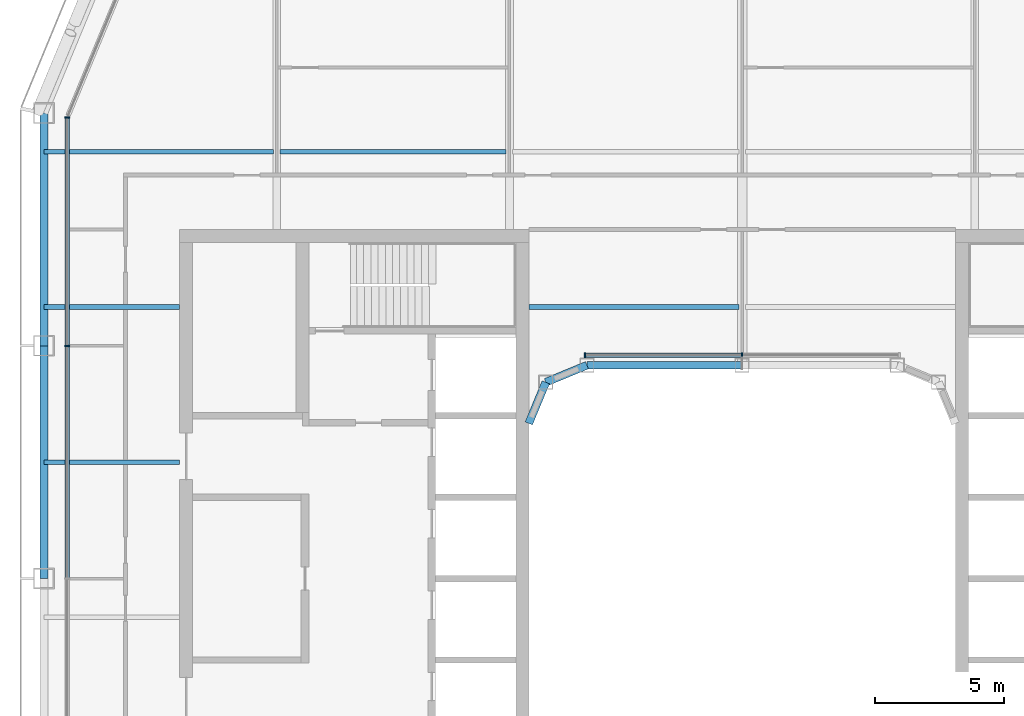
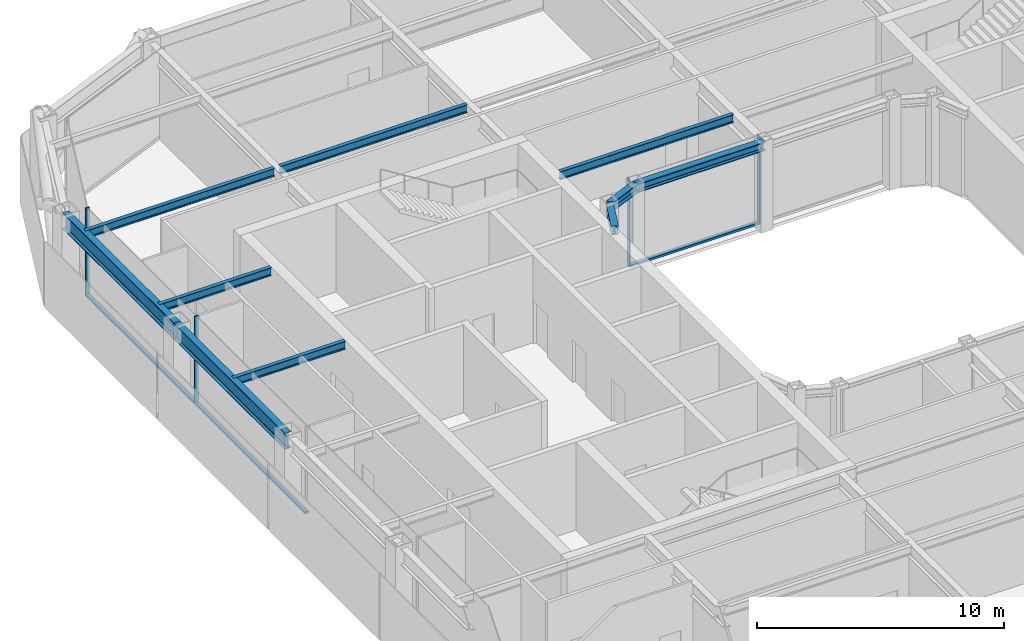
# One storey, part 6 of 23: 10 beams, 7 members, 2 elements without a shape of their own.
"""IFC4 building model written with IfcOpenShell, lengths in metres."""

from ifc_helpers import new_model, si_unit, direction, frame, origin, origin_2d, place, context, subcontext, project, spatial, rectangle, i_section, extrude, material, layer, layer_set, material_profile, profile_set, type_object, element, aggregate, save


model = new_model("IFC4")

# Units and contexts
model_context = context("Model", 3, precision=1e-05, world=origin(), true_north=direction((0.0, 1.0)))
body_context = subcontext(model_context, "Body", "Model", "MODEL_VIEW")
ifc_project = project(units=[si_unit("LENGTHUNIT", "METRE"), si_unit("AREAUNIT", "SQUARE_METRE"), si_unit("VOLUMEUNIT", "CUBIC_METRE"), si_unit("PLANEANGLEUNIT", "RADIAN"), si_unit("MASSUNIT", "GRAM", prefix="KILO")], contexts=[model_context])

# Site, building, storey
site_placement = place(None, origin())
site = spatial("IfcSite", under=ifc_project, at=site_placement, CompositionType="ELEMENT")
building_placement = place(site_placement, origin())
building = spatial("IfcBuilding", under=site, at=building_placement, Name="Siwar Civic Tower", CompositionType="ELEMENT")
storey_placement = place(building_placement, frame((0.0, 0.0, 237.699951171875)))
storey = spatial("IfcBuildingStorey", under=building, at=storey_placement, Name="L51", CompositionType="ELEMENT", Elevation=237.699951171875)

# Curtain wall, members
ifc_material_1 = material(Name="Aluminium and glass", Category="aluminium")
ifc_layer_1 = layer(ifc_material_1, 0.179931640625)
ifc_layer_set_1 = layer_set([ifc_layer_1], Name="Aluminium and glass")
curtain_wall_type_1 = type_object("IfcCurtainWallType", Name="ENV-CW-C", PredefinedType="NOTDEFINED", material=ifc_layer_set_1)
curtain_wall_1_placement = place(storey_placement, origin())
curtain_wall_1 = element("IfcCurtainWall", 1, at=curtain_wall_1_placement, inside=storey, type_object=curtain_wall_type_1, Name="Curtain wall C W", PredefinedType="NOTDEFINED")
ifc_material_2 = material(Name="Aluminium 6063-T6", Category="aluminium")
ifc_material_profile_1 = material_profile(ifc_material_2, rectangle(XDim=0.179931640625, YDim=0.06005859375, at=origin_2d()), Name="AL 180x60")
ifc_profile_set_1 = profile_set([ifc_material_profile_1], Name="Aluminium 6063-T6")
member_type_1 = type_object("IfcMemberType", Name="ENV-MULLION-C", PredefinedType="MULLION", material=ifc_profile_set_1)
member_1_placement = place(storey_placement, frame((-26.10009765625, 17.821044921875, 0.0), z_axis=(0.0, 0.0, 1.0), x_axis=(1.0, 0.0, 0.0)))
member_1 = element("IfcMember", 2, at=member_1_placement, type_object=member_type_1, Name="Mullion C W 1", PredefinedType="MULLION", context=body_context, shape_type="SweptSolid", body=[
    extrude(rectangle(XDim=0.179931640625, YDim=0.06005859375, at=origin_2d()), origin(), (0.0, 0.0, 1.0), 4.35009765625),
])
member_2_placement = place(storey_placement, frame((-26.10009765625, 9.0, 0.0), z_axis=(0.0, 0.0, 1.0), x_axis=(1.0, 0.0, 0.0)))
member_2 = element("IfcMember", 3, at=member_2_placement, type_object=member_type_1, Name="Mullion C W 2", PredefinedType="MULLION", context=body_context, shape_type="SweptSolid", body=[
    extrude(rectangle(XDim=0.179931640625, YDim=0.06005859375, at=origin_2d()), origin(), (0.0, 0.0, 1.0), 4.35009765625),
])

ifc_material_3 = material(Name="Aluminium and glass", Category="aluminium")
ifc_layer_2 = layer(ifc_material_3, 0.179931640625)
ifc_layer_set_2 = layer_set([ifc_layer_2], Name="Aluminium and glass")
curtain_wall_type_2 = type_object("IfcCurtainWallType", Name="ENV-CW-W", PredefinedType="NOTDEFINED", material=ifc_layer_set_2)
curtain_wall_2_placement = place(storey_placement, origin())
curtain_wall_2 = element("IfcCurtainWall", 4, at=curtain_wall_2_placement, inside=storey, type_object=curtain_wall_type_2, Name="Curtain wall W WN", PredefinedType="NOTDEFINED")
ifc_material_4 = material(Name="Aluminium 6063-T6", Category="aluminium")
ifc_material_profile_2 = material_profile(ifc_material_4, rectangle(XDim=0.179931640625, YDim=0.06005859375, at=origin_2d()), Name="AL 180x60")
ifc_profile_set_2 = profile_set([ifc_material_profile_2], Name="Aluminium 6063-T6")
member_type_2 = type_object("IfcMemberType", Name="ENV-MULLION-W", PredefinedType="MULLION", material=ifc_profile_set_2)
member_3_placement = place(storey_placement, frame((0.0, 8.635009765625, 0.0), z_axis=(0.0, 0.0, 1.0), x_axis=(0.0, -1.0, 0.0)))
member_3 = element("IfcMember", 5, at=member_3_placement, type_object=member_type_2, Name="Mullion W WN 2", PredefinedType="MULLION", context=body_context, shape_type="SweptSolid", body=[
    extrude(rectangle(XDim=0.179931640625, YDim=0.06005859375, at=origin_2d()), origin(), (0.0, 0.0, 1.0), 4.35009765625),
])
member_4_placement = place(storey_placement, frame((-6.07666015625, 8.635009765625, 0.0), z_axis=(0.0, 0.0, 1.0), x_axis=(0.0, -1.0, 0.0)))
member_4 = element("IfcMember", 6, at=member_4_placement, type_object=member_type_2, Name="Mullion W WN 3", PredefinedType="MULLION", context=body_context, shape_type="SweptSolid", body=[
    extrude(rectangle(XDim=0.179931640625, YDim=0.06005859375, at=origin_2d()), origin(), (0.0, 0.0, 1.0), 4.35009765625),
])

# Member
ifc_material_5 = material(Name="Aluminium 6063-T6", Category="aluminium")
ifc_material_profile_3 = material_profile(ifc_material_5, rectangle(XDim=0.179931640625, YDim=0.10009765625, at=origin_2d()), Name="AL 180x100")
ifc_profile_set_3 = profile_set([ifc_material_profile_3], Name="Aluminium 6063-T6")
member_type_3 = type_object("IfcMemberType", Name="ENV-TRANSOM-C", PredefinedType="USERDEFINED", material=ifc_profile_set_3)
member_5_placement = place(storey_placement, frame((-26.10009765625, 17.791015625, 0.050048828125), z_axis=(0.0, -1.0, 0.0), x_axis=(1.0, 0.0, 0.0)))
member_5 = element("IfcMember", 7, at=member_5_placement, type_object=member_type_3, Name="Transom C W 1", ObjectType="TRANSOM", PredefinedType="USERDEFINED", context=body_context, shape_type="SweptSolid", body=[
    extrude(rectangle(XDim=0.179931640625, YDim=0.10009765625, at=origin_2d()), origin(), (0.0, 0.0, 1.0), 8.760986328125),
])

member_6_placement = place(storey_placement, frame((-26.10009765625, 8.969970703125, 0.050048828125), z_axis=(0.0, -1.0, 0.0), x_axis=(1.0, 0.0, 0.0)))
member_6 = element("IfcMember", 8, at=member_6_placement, type_object=member_type_3, Name="Transom C W 2", ObjectType="TRANSOM", PredefinedType="USERDEFINED", context=body_context, shape_type="SweptSolid", body=[
    extrude(rectangle(XDim=0.179931640625, YDim=0.10009765625, at=origin_2d()), origin(), (0.0, 0.0, 1.0), 8.93994140625),
])

aggregate(curtain_wall_1, [member_1, member_2, member_5, member_6])

ifc_material_6 = material(Name="Aluminium 6063-T6", Category="aluminium")
ifc_material_profile_4 = material_profile(ifc_material_6, rectangle(XDim=0.179931640625, YDim=0.10009765625, at=origin_2d()), Name="AL 180x100")
ifc_profile_set_4 = profile_set([ifc_material_profile_4], Name="Aluminium 6063-T6")
member_type_4 = type_object("IfcMemberType", Name="ENV-TRANSOM-W", PredefinedType="USERDEFINED", material=ifc_profile_set_4)
member_7_placement = place(storey_placement, frame((-0.030029296875, 8.635009765625, 0.050048828125), z_axis=(-1.0, 0.0, 0.0), x_axis=(0.0, -1.0, 0.0)))
member_7 = element("IfcMember", 9, at=member_7_placement, type_object=member_type_4, Name="Transom W WN 2", ObjectType="TRANSOM", PredefinedType="USERDEFINED", context=body_context, shape_type="SweptSolid", body=[
    extrude(rectangle(XDim=0.179931640625, YDim=0.10009765625, at=origin_2d()), origin(), (0.0, 0.0, 1.0), 6.0166015625),
])

aggregate(curtain_wall_2, [member_3, member_4, member_7])

# Beams
ifc_material_7 = material(Name="Steel S355", Category="steel")
ifc_material_profile_5 = material_profile(ifc_material_7, i_section(OverallWidth=0.179931640625, OverallDepth=0.39990234375, WebThickness=0.008544921875, FlangeThickness=0.013427734375, FilletRadius=0.02099609375, at=origin_2d()), Name="IPE400")
ifc_profile_set_5 = profile_set([ifc_material_profile_5], Name="Steel S355")
beam_type_1 = type_object("IfcBeamType", Name="STR-FB-IPE400", PredefinedType="JOIST", material=ifc_profile_set_5)
for number, where, z_axis, x_axis, name in (
    (10, (-27.0, 4.5, 4.150146484375), (1.0, 0.0, 0.0), (0.0, 1.0, 0.0), "L51/bm/F025"),
    (11, (-27.0, 10.5, 4.150146484375), (1.0, 0.0, 0.0), (0.0, 1.0, 0.0), "L51/bm/F027"),
):
    element("IfcBeam", number, at=place(storey_placement, frame(where, z_axis=z_axis, x_axis=x_axis)), inside=storey, type_object=beam_type_1, Name=name, PredefinedType="JOIST", context=body_context, shape_type="SweptSolid", body=[
        extrude(i_section(OverallWidth=0.179931640625, OverallDepth=0.39990234375, WebThickness=0.008544921875, FlangeThickness=0.013427734375, FilletRadius=0.02099609375, at=origin_2d()), origin(), (0.0, 0.0, 1.0), 5.25),
    ])
beam_1_placement = place(storey_placement, frame((-8.25, 10.5, 4.150146484375), z_axis=(1.0, 0.0, 0.0), x_axis=(0.0, 1.0, 0.0)))
element("IfcBeam", 12, at=beam_1_placement, inside=storey, type_object=beam_type_1, Name="L51/bm/F028", PredefinedType="JOIST", context=body_context, shape_type="SweptSolid", body=[
    extrude(i_section(OverallWidth=0.179931640625, OverallDepth=0.39990234375, WebThickness=0.008544921875, FlangeThickness=0.013427734375, FilletRadius=0.02099609375, at=origin_2d()), origin(), (0.0, 0.0, 1.0), 8.1201171875),
])
beam_2_placement = place(storey_placement, frame((-27.0, 16.5, 4.150146484375), z_axis=(1.0, 0.0, 0.0), x_axis=(0.0, 1.0, 0.0)))
element("IfcBeam", 13, at=beam_2_placement, inside=storey, type_object=beam_type_1, Name="L51/bm/F031", PredefinedType="JOIST", context=body_context, shape_type="SweptSolid", body=[
    extrude(i_section(OverallWidth=0.179931640625, OverallDepth=0.39990234375, WebThickness=0.008544921875, FlangeThickness=0.013427734375, FilletRadius=0.02099609375, at=origin_2d()), origin(), (0.0, 0.0, 1.0), 8.8701171875),
])
beam_3_placement = place(storey_placement, frame((-17.8701171875, 16.5, 4.150146484375), z_axis=(1.0, 0.0, 0.0), x_axis=(0.0, 1.0, 0.0)))
element("IfcBeam", 14, at=beam_3_placement, inside=storey, type_object=beam_type_1, Name="L51/bm/F032", PredefinedType="JOIST", context=body_context, shape_type="SweptSolid", body=[
    extrude(i_section(OverallWidth=0.179931640625, OverallDepth=0.39990234375, WebThickness=0.008544921875, FlangeThickness=0.013427734375, FilletRadius=0.02099609375, at=origin_2d()), origin(), (0.0, 0.0, 1.0), 8.740234375),
])
ifc_material_8 = material(Name="Steel S355", Category="steel")
ifc_material_profile_6 = material_profile(ifc_material_8, i_section(OverallWidth=0.306884765625, OverallDepth=0.431884765625, WebThickness=0.02099609375, FlangeThickness=0.0400390625, FilletRadius=0.027099609375, at=origin_2d()), Name="HEM400")
ifc_profile_set_6 = profile_set([ifc_material_profile_6], Name="Steel S355")
beam_type_2 = type_object("IfcBeamType", Name="STR-RB-HEM400", PredefinedType="BEAM", material=ifc_profile_set_6)
beam_4_placement = place(storey_placement, frame((-7.591064453125, 7.591064453125, 4.134033203125), z_axis=(0.923901072997, 0.382631424892, 0.0), x_axis=(-0.382631424892, 0.923901072997, 0.0)))
element("IfcBeam", 15, at=beam_4_placement, inside=storey, type_object=beam_type_2, Name="L51/bm/RN0", PredefinedType="BEAM", context=body_context, shape_type="SweptSolid", body=[
    extrude(i_section(OverallWidth=0.306884765625, OverallDepth=0.431884765625, WebThickness=0.02099609375, FlangeThickness=0.0400390625, FilletRadius=0.027099609375, at=origin_2d()), origin(), (0.0, 0.0, 1.0), 1.72216796875),
])
beam_5_placement = place(storey_placement, frame((-6.0, 8.25, 4.134033203125), z_axis=(1.0, 0.0, 0.0), x_axis=(0.0, 1.0, 0.0)))
element("IfcBeam", 16, at=beam_5_placement, inside=storey, type_object=beam_type_2, Name="L51/bm/RN1", PredefinedType="BEAM", context=body_context, shape_type="SweptSolid", body=[
    extrude(i_section(OverallWidth=0.306884765625, OverallDepth=0.431884765625, WebThickness=0.02099609375, FlangeThickness=0.0400390625, FilletRadius=0.027099609375, at=origin_2d()), origin(), (0.0, 0.0, 1.0), 6.0),
])
beam_6_placement = place(storey_placement, frame((-7.591064453125, 7.591064453125, 4.134033203125), z_axis=(-0.382631424892, -0.923901072997, 0.0), x_axis=(0.923901072997, -0.382631424892, 0.0)))
element("IfcBeam", 17, at=beam_6_placement, inside=storey, type_object=beam_type_2, Name="L51/bm/RNEW", PredefinedType="BEAM", context=body_context, shape_type="SweptSolid", body=[
    extrude(i_section(OverallWidth=0.306884765625, OverallDepth=0.431884765625, WebThickness=0.02099609375, FlangeThickness=0.0400390625, FilletRadius=0.027099609375, at=origin_2d()), origin(), (0.0, 0.0, 1.0), 1.72216796875),
])
ifc_material_9 = material(Name="Steel S355", Category="steel")
ifc_material_profile_7 = material_profile(ifc_material_9, i_section(OverallWidth=0.300048828125, OverallDepth=0.800048828125, WebThickness=0.017578125, FlangeThickness=0.032958984375, FilletRadius=0.030029296875, at=origin_2d()), Name="HEB800")
ifc_profile_set_7 = profile_set([ifc_material_profile_7], Name="Steel S355")
beam_type_3 = type_object("IfcBeamType", Name="STR-SB-HEB800", PredefinedType="BEAM", material=ifc_profile_set_7)
for number, where, z_axis, x_axis, name in (
    (18, (-27.0, 18.0, 3.949951171875), (0.0, -1.0, 0.0), (1.0, 0.0, 0.0), "L51/bm/SW-0"),
    (19, (-27.0, 9.0, 3.949951171875), (0.0, -1.0, 0.0), (1.0, 0.0, 0.0), "L51/bm/SW-1"),
):
    element("IfcBeam", number, at=place(storey_placement, frame(where, z_axis=z_axis, x_axis=x_axis)), inside=storey, type_object=beam_type_3, Name=name, PredefinedType="BEAM", context=body_context, shape_type="SweptSolid", body=[
        extrude(i_section(OverallWidth=0.300048828125, OverallDepth=0.800048828125, WebThickness=0.017578125, FlangeThickness=0.032958984375, FilletRadius=0.030029296875, at=origin_2d()), origin(), (0.0, 0.0, 1.0), 9.0),
    ])

save(model, "model.ifc")
